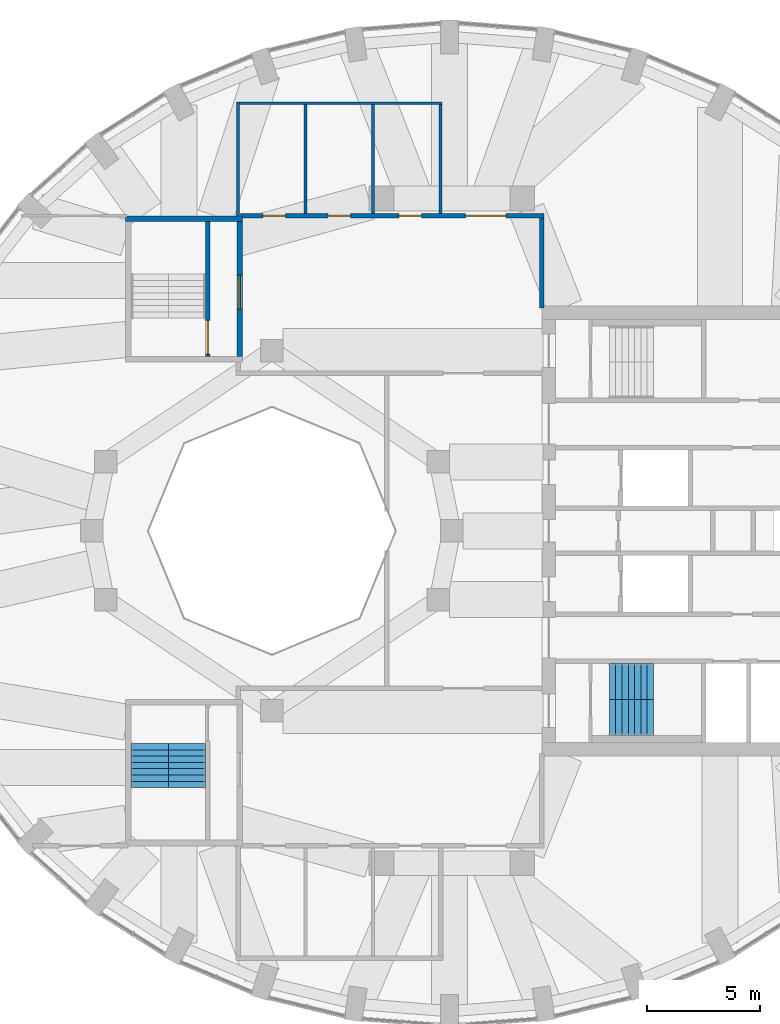
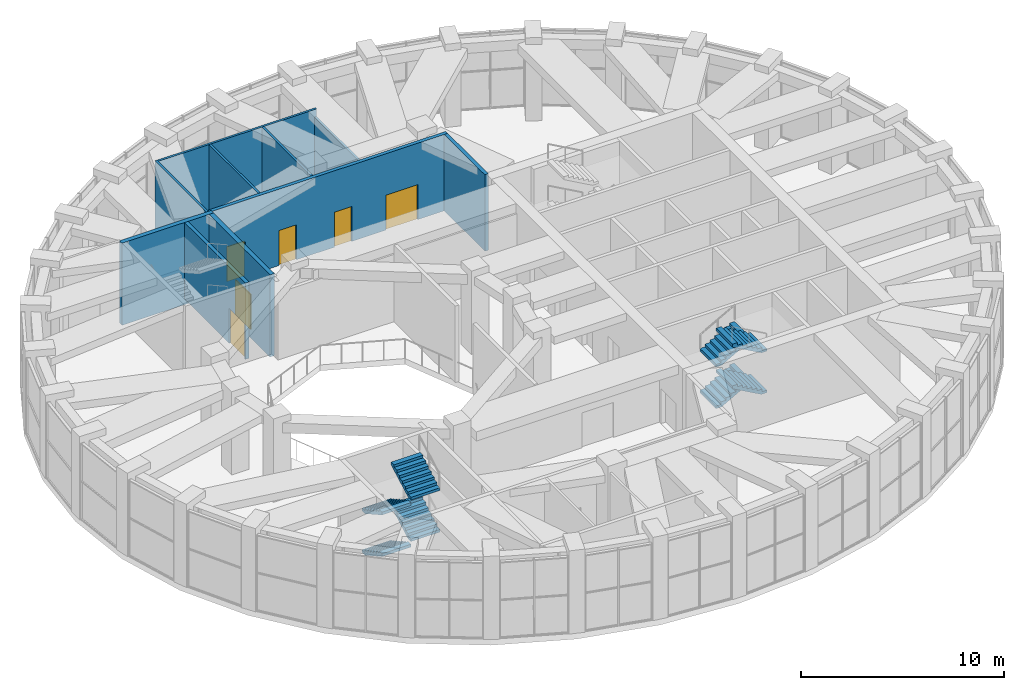
# One storey, part 14 of 16: 10 walls, 8 stair flights, 6 doors, 6 openings, 2 elements without a shape of their own.
"""IFC4 building model written with IfcOpenShell, lengths in metres."""

from ifc_helpers import new_model, si_unit, direction, frame, frame_2d, origin, place, context, subcontext, project, spatial, polyline, rectangle, outline, extrude, material, layer, layer_set, type_object, element, fill, aggregate, save


model = new_model("IFC4")

# Units and contexts
model_context = context("Model", 3, precision=1e-05, world=origin(), true_north=direction((0.0, 1.0)))
body_context = subcontext(model_context, "Body", "Model", "MODEL_VIEW")
ifc_project = project(units=[si_unit("LENGTHUNIT", "METRE"), si_unit("AREAUNIT", "SQUARE_METRE"), si_unit("VOLUMEUNIT", "CUBIC_METRE"), si_unit("PLANEANGLEUNIT", "RADIAN"), si_unit("MASSUNIT", "GRAM", prefix="KILO")], contexts=[model_context])

# Site, building, storey
site_placement = place(None, origin())
site = spatial("IfcSite", under=ifc_project, at=site_placement, CompositionType="ELEMENT")
building_placement = place(site_placement, origin())
building = spatial("IfcBuilding", under=site, at=building_placement, Name="Taillehof Tower", CompositionType="ELEMENT")
storey_placement = place(building_placement, frame((0.0, 0.0, 264.199951171875)))
storey = spatial("IfcBuildingStorey", under=building, at=storey_placement, Name="L75", CompositionType="ELEMENT", Elevation=264.199951171875)

# Wall, openings, doors
ifc_material_1 = material(Name="Calcium silicate blockwork", Category="masonry")
ifc_layer_1 = layer(ifc_material_1, 0.199951171875)
ifc_layer_set_1 = layer_set([ifc_layer_1], Name="Compartment wall EI 60 200 mm")
wall_type_1 = type_object("IfcWallType", Name="Compartment wall EI 60 200 mm", PredefinedType="PARTITIONING", material=ifc_layer_set_1)
wall_1_placement = place(storey_placement, frame((-9.39990234375, 14.0, 0.0), z_axis=(0.0, 0.0, 1.0), x_axis=(1.0, 0.0, 0.0)))
wall_1 = element("IfcWall", 1, at=wall_1_placement, inside=storey, type_object=wall_type_1, Name="Wall L75-01 / L75-07", PredefinedType="PARTITIONING", context=body_context, shape_type="SweptSolid", body=[
    extrude(rectangle(XDim=13.5, YDim=0.199951171875, at=frame_2d((6.75, 0.0))), origin(), (0.0, 0.0, 1.0), 4.590087890625),
])
opening_1_placement = place(wall_1_placement, frame((10.0, 0.0, 0.0)))
opening_1 = element("IfcOpeningElement", 2, at=opening_1_placement, cuts=wall_1, Name="Opening D7552", PredefinedType="OPENING", context=body_context, shape_type="SweptSolid", body=[
    extrude(rectangle(XDim=1.800048828125, YDim=2.10009765625, at=frame_2d((0.89990234375, 1.050048828125))), frame((0.0, 0.10986328125, 0.0), z_axis=(0.0, -1.0, 0.0), x_axis=(1.0, 0.0, 0.0)), (0.0, 0.0, 1.0), 0.219970703125),
])
opening_2_placement = place(wall_1_placement, frame((1.0, 0.0, 0.0)))
opening_2 = element("IfcOpeningElement", 3, at=opening_2_placement, cuts=wall_1, Name="Opening D7549", PredefinedType="OPENING", context=body_context, shape_type="SweptSolid", body=[
    extrude(rectangle(XDim=1.0, YDim=2.10009765625, at=frame_2d((0.5, 1.050048828125))), frame((0.0, 0.10986328125, 0.0), z_axis=(0.0, -1.0, 0.0), x_axis=(1.0, 0.0, 0.0)), (0.0, 0.0, 1.0), 0.219970703125),
])
opening_3_placement = place(wall_1_placement, frame((3.89990234375, 0.0, 0.0)))
opening_3 = element("IfcOpeningElement", 4, at=opening_3_placement, cuts=wall_1, Name="Opening D7550", PredefinedType="OPENING", context=body_context, shape_type="SweptSolid", body=[
    extrude(rectangle(XDim=1.0, YDim=2.10009765625, at=frame_2d((0.5, 1.050048828125))), frame((0.0, 0.10986328125, 0.0), z_axis=(0.0, -1.0, 0.0), x_axis=(1.0, 0.0, 0.0)), (0.0, 0.0, 1.0), 0.219970703125),
])
opening_4_placement = place(wall_1_placement, frame((7.050048828125, 0.0, 0.0)))
opening_4 = element("IfcOpeningElement", 5, at=opening_4_placement, cuts=wall_1, Name="Opening D7551", PredefinedType="OPENING", context=body_context, shape_type="SweptSolid", body=[
    extrude(rectangle(XDim=1.0, YDim=2.10009765625, at=frame_2d((0.5, 1.050048828125))), frame((0.0, 0.10986328125, 0.0), z_axis=(0.0, -1.0, 0.0), x_axis=(1.0, 0.0, 0.0)), (0.0, 0.0, 1.0), 0.219970703125),
])
ifc_material_2 = material(Name="Hollow metal door set")
door_type_1 = type_object("IfcDoorType", Name="Double door 1800 x 2100 FD60S", OperationType="DOUBLE_DOOR_SINGLE_SWING", PredefinedType="DOOR", material=ifc_material_2)
door_1_placement = place(opening_1_placement, origin())
door_1 = element("IfcDoor", 6, at=door_1_placement, inside=storey, type_object=door_type_1, Name="Door D7552", OperationType="DOUBLE_DOOR_SINGLE_SWING", OverallHeight=2.10009765625, OverallWidth=1.800048828125, PredefinedType="DOOR", context=body_context, shape_type="SweptSolid", body=[
    extrude(rectangle(XDim=1.800048828125, YDim=2.10009765625, at=frame_2d((0.89990234375, 1.050048828125))), frame((0.0, 0.02490234375, 0.0), z_axis=(0.0, -1.0, 0.0), x_axis=(1.0, 0.0, 0.0)), (0.0, 0.0, 1.0), 0.050048828125),
])
fill(opening_1, door_1)
ifc_material_3 = material(Name="Hollow metal door set")
door_type_2 = type_object("IfcDoorType", Name="Single door 1000 x 2100 FD60S", OperationType="SINGLE_SWING_LEFT", PredefinedType="DOOR", material=ifc_material_3)
door_2_placement = place(opening_2_placement, origin())
door_2 = element("IfcDoor", 7, at=door_2_placement, inside=storey, type_object=door_type_2, Name="Door D7549", OperationType="SINGLE_SWING_RIGHT", OverallHeight=2.10009765625, OverallWidth=1.0, PredefinedType="DOOR", context=body_context, shape_type="SweptSolid", body=[
    extrude(rectangle(XDim=1.0, YDim=2.10009765625, at=frame_2d((0.5, 1.050048828125))), frame((0.0, 0.02490234375, 0.0), z_axis=(0.0, -1.0, 0.0), x_axis=(1.0, 0.0, 0.0)), (0.0, 0.0, 1.0), 0.050048828125),
])
fill(opening_2, door_2)
door_3_placement = place(opening_3_placement, origin())
door_3 = element("IfcDoor", 8, at=door_3_placement, inside=storey, type_object=door_type_2, Name="Door D7550", OperationType="SINGLE_SWING_LEFT", OverallHeight=2.10009765625, OverallWidth=1.0, PredefinedType="DOOR", context=body_context, shape_type="SweptSolid", body=[
    extrude(rectangle(XDim=1.0, YDim=2.10009765625, at=frame_2d((0.5, 1.050048828125))), frame((0.0, 0.02490234375, 0.0), z_axis=(0.0, -1.0, 0.0), x_axis=(1.0, 0.0, 0.0)), (0.0, 0.0, 1.0), 0.050048828125),
])
fill(opening_3, door_3)
door_4_placement = place(opening_4_placement, origin())
door_4 = element("IfcDoor", 9, at=door_4_placement, inside=storey, type_object=door_type_2, Name="Door D7551", OperationType="SINGLE_SWING_RIGHT", OverallHeight=2.10009765625, OverallWidth=1.0, PredefinedType="DOOR", context=body_context, shape_type="SweptSolid", body=[
    extrude(rectangle(XDim=1.0, YDim=2.10009765625, at=frame_2d((0.5, 1.050048828125))), frame((0.0, 0.02490234375, 0.0), z_axis=(0.0, -1.0, 0.0), x_axis=(1.0, 0.0, 0.0)), (0.0, 0.0, 1.0), 0.050048828125),
])
fill(opening_4, door_4)

# Walls
wall_2_placement = place(storey_placement, frame((4.0, 9.89990234375, 0.0), z_axis=(0.0, 0.0, 1.0), x_axis=(0.0, 1.0, 0.0)))
element("IfcWall", 10, at=wall_2_placement, inside=storey, type_object=wall_type_1, Name="Wall L75-07 / L75-10", PredefinedType="PARTITIONING", context=body_context, shape_type="SweptSolid", body=[
    extrude(rectangle(XDim=4.0, YDim=0.199951171875, at=frame_2d((2.0, 0.0))), origin(), (0.0, 0.0, 1.0), 4.590087890625),
])
ifc_material_4 = material(Name="Gypsum board partition on steel studs", Category="steel")
ifc_layer_2 = layer(ifc_material_4, 0.125)
ifc_layer_set_2 = layer_set([ifc_layer_2], Name="Partition wall EI 30 125 mm")
wall_type_2 = type_object("IfcWallType", Name="Partition wall EI 30 125 mm", PredefinedType="PARTITIONING", material=ifc_layer_set_2)
wall_3_placement = place(storey_placement, frame((-9.4375, 19.0, 0.0), z_axis=(0.0, 0.0, 1.0), x_axis=(1.0, 0.0, 0.0)))
element("IfcWall", 11, at=wall_3_placement, inside=storey, type_object=wall_type_2, Name="Wall L75-01 / L75-10", PredefinedType="PARTITIONING", context=body_context, shape_type="SweptSolid", body=[
    extrude(rectangle(XDim=9.0, YDim=0.125, at=frame_2d((4.5, 0.0))), origin(), (0.0, 0.0, 1.0), 4.590087890625),
])
wall_4_placement = place(storey_placement, frame((-9.5, 13.998046875, 0.0), z_axis=(0.0, 0.0, 1.0), x_axis=(0.0, 1.0, 0.0)))
element("IfcWall", 12, at=wall_4_placement, inside=storey, type_object=wall_type_2, Name="Wall L75-01 / L75-10", PredefinedType="PARTITIONING", context=body_context, shape_type="SweptSolid", body=[
    extrude(rectangle(XDim=5.064453125, YDim=0.125, at=frame_2d((2.5322265625, 0.0))), origin(), (0.0, 0.0, 1.0), 4.590087890625),
])
for number, where, z_axis, x_axis, name in (
    (13, (-6.5, 14.10009765625, 0.0), (0.0, 0.0, 1.0), (0.0, 1.0, 0.0), "Wall L75-01 / L75-02"),
    (14, (-3.5, 14.10009765625, 0.0), (0.0, 0.0, 1.0), (0.0, 1.0, 0.0), "Wall L75-02 / L75-03"),
):
    element("IfcWall", number, at=place(storey_placement, frame(where, z_axis=z_axis, x_axis=x_axis)), inside=storey, type_object=wall_type_2, Name=name, PredefinedType="PARTITIONING", context=body_context, shape_type="SweptSolid", body=[
        extrude(rectangle(XDim=4.83740234375, YDim=0.125, at=frame_2d((2.418701171875, 0.0))), origin(), (0.0, 0.0, 1.0), 4.590087890625),
    ])
wall_5_placement = place(storey_placement, frame((-0.5, 14.10009765625, 0.0), z_axis=(0.0, 0.0, 1.0), x_axis=(0.0, 1.0, 0.0)))
element("IfcWall", 15, at=wall_5_placement, inside=storey, type_object=wall_type_2, Name="Wall L75-03 / L75-10", PredefinedType="PARTITIONING", context=body_context, shape_type="SweptSolid", body=[
    extrude(rectangle(XDim=4.83740234375, YDim=0.125, at=frame_2d((2.418701171875, 0.0))), origin(), (0.0, 0.0, 1.0), 4.14013671875),
])

# Wall, opening, door
ifc_material_5 = material(Name="Concrete C50/60", Category="concrete")
ifc_layer_3 = layer(ifc_material_5, 0.199951171875)
ifc_layer_set_3 = layer_set([ifc_layer_3], Name="Shaft wall C50/60 200")
wall_type_3 = type_object("IfcWallType", Name="Shaft wall C50/60 200", PredefinedType="SHEAR", material=ifc_layer_set_3)
wall_6_placement = place(storey_placement, frame((-10.85009765625, 7.75, 0.0), z_axis=(0.0, 0.0, 1.0), x_axis=(0.0, 1.0, 0.0)))
wall_6 = element("IfcWall", 16, at=wall_6_placement, inside=storey, type_object=wall_type_3, Name="Shaft wall SW", PredefinedType="SHEAR", context=body_context, shape_type="SweptSolid", body=[
    extrude(rectangle(XDim=6.0, YDim=0.199951171875, at=frame_2d((3.0, 0.0))), origin(), (0.0, 0.0, 1.0), 4.590087890625),
])
opening_5_placement = place(wall_6_placement, frame((0.10009765625, 0.0, 0.0)))
opening_5 = element("IfcOpeningElement", 17, at=opening_5_placement, cuts=wall_6, Name="Opening D7510", PredefinedType="OPENING", context=body_context, shape_type="SweptSolid", body=[
    extrude(rectangle(XDim=1.5, YDim=2.10009765625, at=frame_2d((0.75, 1.050048828125))), frame((0.0, 0.10986328125, 0.0), z_axis=(0.0, -1.0, 0.0), x_axis=(1.0, 0.0, 0.0)), (0.0, 0.0, 1.0), 0.219970703125),
])
ifc_material_6 = material(Name="Steel-faced fire door", Category="steel")
door_type_3 = type_object("IfcDoorType", Name="Stair door 1500x2100", OperationType="DOUBLE_DOOR_SINGLE_SWING", PredefinedType="DOOR", material=ifc_material_6)
door_5_placement = place(opening_5_placement, origin())
door_5 = element("IfcDoor", 18, at=door_5_placement, inside=storey, type_object=door_type_3, Name="Stair lobby door S3", OperationType="DOUBLE_DOOR_SINGLE_SWING", OverallHeight=2.10009765625, OverallWidth=1.5, PredefinedType="DOOR", context=body_context, shape_type="SweptSolid", body=[
    extrude(rectangle(XDim=1.5, YDim=2.10009765625, at=frame_2d((0.75, 1.050048828125))), frame((0.0, 0.02490234375, 0.0), z_axis=(0.0, -1.0, 0.0), x_axis=(1.0, 0.0, 0.0)), (0.0, 0.0, 1.0), 0.050048828125),
])
fill(opening_5, door_5)

ifc_material_7 = material(Name="Concrete C50/60", Category="concrete")
ifc_layer_4 = layer(ifc_material_7, 0.25)
ifc_layer_set_4 = layer_set([ifc_layer_4], Name="Stair wall C50/60 250")
wall_type_4 = type_object("IfcWallType", Name="Stair wall C50/60 250", PredefinedType="SHEAR", material=ifc_layer_set_4)
wall_7_placement = place(storey_placement, frame((-9.425048828125, 7.75, -0.349853515625), z_axis=(0.0, 0.0, 1.0), x_axis=(0.0, 1.0, 0.0)))
wall_7 = element("IfcWall", 19, at=wall_7_placement, inside=storey, type_object=wall_type_4, Name="Stair wall SC", PredefinedType="SHEAR", context=body_context, shape_type="SweptSolid", body=[
    extrude(rectangle(XDim=6.0, YDim=0.25, at=frame_2d((3.0, 0.0))), origin(), (0.0, 0.0, 1.0), 4.93994140625),
])
opening_6_placement = place(wall_7_placement, frame((2.10009765625, 0.0, 0.35009765625)))
opening_6 = element("IfcOpeningElement", 20, at=opening_6_placement, cuts=wall_7, Name="Opening D7516", PredefinedType="OPENING", context=body_context, shape_type="SweptSolid", body=[
    extrude(rectangle(XDim=1.5, YDim=2.10009765625, at=frame_2d((0.75, 1.050048828125))), frame((0.0, 0.135009765625, 0.0), z_axis=(0.0, -1.0, 0.0), x_axis=(1.0, 0.0, 0.0)), (0.0, 0.0, 1.0), 0.27001953125),
])
door_6_placement = place(opening_6_placement, origin())
door_6 = element("IfcDoor", 21, at=door_6_placement, inside=storey, type_object=door_type_3, Name="Stair door S3", OperationType="DOUBLE_DOOR_SINGLE_SWING", OverallHeight=2.10009765625, OverallWidth=1.5, PredefinedType="DOOR", context=body_context, shape_type="SweptSolid", body=[
    extrude(rectangle(XDim=1.5, YDim=2.10009765625, at=frame_2d((0.75, 1.050048828125))), frame((0.0, 0.02490234375, 0.0), z_axis=(0.0, -1.0, 0.0), x_axis=(1.0, 0.0, 0.0)), (0.0, 0.0, 1.0), 0.050048828125),
])
fill(opening_6, door_6)

# Wall
wall_8_placement = place(storey_placement, frame((-14.5, 13.875, -0.349853515625), z_axis=(0.0, 0.0, 1.0), x_axis=(1.0, 0.0, 0.0)))
element("IfcWall", 22, at=wall_8_placement, inside=storey, type_object=wall_type_4, Name="Stair wall SC", PredefinedType="SHEAR", context=body_context, shape_type="SweptSolid", body=[
    extrude(rectangle(XDim=5.199951171875, YDim=0.25, at=frame_2d((2.60009765625, 0.0))), origin(), (0.0, 0.0, 1.0), 4.93994140625),
])

# Stair, stair flights
ifc_material_8 = material(Name="Concrete C40/50", Category="concrete")
stair_type = type_object("IfcStairType", Name="Exit stair half-turn", PredefinedType="HALF_TURN_STAIR", material=ifc_material_8)
stair_1_placement = place(storey_placement, origin())
stair_1 = element("IfcStair", 23, at=stair_1_placement, inside=storey, type_object=stair_type, Name="Exit stair S2", PredefinedType="HALF_TURN_STAIR")
ifc_material_9 = material(Name="Concrete C40/50", Category="concrete")
stair_flight_type_1 = type_object("IfcStairFlightType", Name="Stair flight 1600 riser 156.2 going 280", PredefinedType="STRAIGHT", material=ifc_material_9)
stair_flight_1_placement = place(storey_placement, frame((7.0, -6.699951171875, 0.0), z_axis=(0.0, 0.0, 1.0), x_axis=(1.0, 0.0, 0.0)))
stair_flight_1 = element("IfcStairFlight", 24, at=stair_flight_1_placement, type_object=stair_flight_type_1, Name="S2 flight 1", NumberOfRisers=8, NumberOfTreads=7, PredefinedType="STRAIGHT", RiserHeight=0.15625, TreadLength=0.28, context=body_context, shape_type="SweptSolid", body=[
    extrude(outline(polyline([(0.0, 0.0), (0.0, 0.00634765625), (0.0, 0.012451171875), (0.0, 0.018798828125), (0.0, 0.02490234375), (0.0, 0.03125), (0.0, 0.03759765625), (0.0, 0.043701171875), (0.0, 0.050048828125), (0.0, 0.05615234375), (0.0, 0.0625), (0.0, 0.06884765625), (0.0, 0.074951171875), (0.0, 0.081298828125), (0.0, 0.08740234375), (0.0, 0.09375), (0.0, 0.10009765625), (0.0, 0.106201171875), (0.0, 0.112548828125), (0.0, 0.11865234375), (0.0, 0.125), (0.0, 0.13134765625), (0.0, 0.137451171875), (0.0, 0.143798828125), (0.0, 0.14990234375), (0.0, 0.15625), (0.280029296875, 0.15625), (0.280029296875, 0.3125), (0.56005859375, 0.3125), (0.56005859375, 0.46875), (0.840087890625, 0.46875), (0.840087890625, 0.625), (1.1201171875, 0.625), (1.1201171875, 0.78125), (1.39990234375, 0.78125), (1.39990234375, 0.9375), (1.679931640625, 0.9375), (1.679931640625, 1.09375), (1.9599609375, 1.09375), (1.9599609375, 1.0869140625), (1.9599609375, 1.080078125), (1.9599609375, 1.0732421875), (1.9599609375, 1.066162109375), (1.9599609375, 1.059326171875), (1.9599609375, 1.052490234375), (1.9599609375, 1.045654296875), (1.9599609375, 1.038818359375), (1.9599609375, 1.031982421875), (1.9599609375, 1.025146484375), (1.9599609375, 1.018310546875), (1.9599609375, 1.01123046875), (1.9599609375, 1.00439453125), (1.9599609375, 0.99755859375), (1.9599609375, 0.99072265625), (1.9599609375, 0.98388671875), (1.9599609375, 0.97705078125), (1.9599609375, 0.97021484375), (1.9599609375, 0.96337890625), (1.9599609375, 0.956298828125), (1.9599609375, 0.949462890625), (1.9599609375, 0.942626953125), (1.9599609375, 0.935791015625), (1.9599609375, 0.928955078125), (1.9599609375, 0.922119140625), (0.3076171875, 0.0), (0.0, 0.0)])), frame((0.0, 0.800048828125, 0.0), z_axis=(0.0, -1.0, 0.0), x_axis=(1.0, 0.0, 0.0)), (0.0, 0.0, 1.0), 1.6),
])
stair_flight_2_placement = place(storey_placement, frame((8.9599609375, -8.300048828125, 1.25), z_axis=(0.0, 0.0, 1.0), x_axis=(-1.0, 0.0, 0.0)))
stair_flight_2 = element("IfcStairFlight", 25, at=stair_flight_2_placement, type_object=stair_flight_type_1, Name="S2 flight 2", NumberOfRisers=8, NumberOfTreads=7, PredefinedType="STRAIGHT", RiserHeight=0.15625, TreadLength=0.28, context=body_context, shape_type="SweptSolid", body=[
    extrude(outline(polyline([(0.0, 0.0), (0.0, 0.00634765625), (0.0, 0.012451171875), (0.0, 0.018798828125), (0.0, 0.02490234375), (0.0, 0.03125), (0.0, 0.03759765625), (0.0, 0.043701171875), (0.0, 0.050048828125), (0.0, 0.05615234375), (0.0, 0.0625), (0.0, 0.06884765625), (0.0, 0.074951171875), (0.0, 0.081298828125), (0.0, 0.08740234375), (0.0, 0.09375), (0.0, 0.10009765625), (0.0, 0.106201171875), (0.0, 0.112548828125), (0.0, 0.11865234375), (0.0, 0.125), (0.0, 0.13134765625), (0.0, 0.137451171875), (0.0, 0.143798828125), (0.0, 0.14990234375), (0.0, 0.15625), (0.280029296875, 0.15625), (0.280029296875, 0.3125), (0.56005859375, 0.3125), (0.56005859375, 0.46875), (0.840087890625, 0.46875), (0.840087890625, 0.625), (1.1201171875, 0.625), (1.1201171875, 0.78125), (1.39990234375, 0.78125), (1.39990234375, 0.9375), (1.679931640625, 0.9375), (1.679931640625, 1.09375), (1.9599609375, 1.09375), (1.9599609375, 1.0869140625), (1.9599609375, 1.080078125), (1.9599609375, 1.0732421875), (1.9599609375, 1.066162109375), (1.9599609375, 1.059326171875), (1.9599609375, 1.052490234375), (1.9599609375, 1.045654296875), (1.9599609375, 1.038818359375), (1.9599609375, 1.031982421875), (1.9599609375, 1.025146484375), (1.9599609375, 1.018310546875), (1.9599609375, 1.01123046875), (1.9599609375, 1.00439453125), (1.9599609375, 0.99755859375), (1.9599609375, 0.99072265625), (1.9599609375, 0.98388671875), (1.9599609375, 0.97705078125), (1.9599609375, 0.97021484375), (1.9599609375, 0.96337890625), (1.9599609375, 0.956298828125), (1.9599609375, 0.949462890625), (1.9599609375, 0.942626953125), (1.9599609375, 0.935791015625), (1.9599609375, 0.928955078125), (1.9599609375, 0.922119140625), (0.3076171875, 0.0), (0.0, 0.0)])), frame((0.0, 0.800048828125, 0.0), z_axis=(0.0, -1.0, 0.0), x_axis=(1.0, 0.0, 0.0)), (0.0, 0.0, 1.0), 1.6),
])
stair_flight_3_placement = place(storey_placement, frame((7.0, -6.699951171875, 2.5), z_axis=(0.0, 0.0, 1.0), x_axis=(1.0, 0.0, 0.0)))
stair_flight_3 = element("IfcStairFlight", 26, at=stair_flight_3_placement, type_object=stair_flight_type_1, Name="S2 flight 3", NumberOfRisers=8, NumberOfTreads=7, PredefinedType="STRAIGHT", RiserHeight=0.15625, TreadLength=0.28, context=body_context, shape_type="SweptSolid", body=[
    extrude(outline(polyline([(0.0, 0.0), (0.0, 0.00634765625), (0.0, 0.012451171875), (0.0, 0.018798828125), (0.0, 0.02490234375), (0.0, 0.03125), (0.0, 0.03759765625), (0.0, 0.043701171875), (0.0, 0.050048828125), (0.0, 0.05615234375), (0.0, 0.0625), (0.0, 0.06884765625), (0.0, 0.074951171875), (0.0, 0.081298828125), (0.0, 0.08740234375), (0.0, 0.09375), (0.0, 0.10009765625), (0.0, 0.106201171875), (0.0, 0.112548828125), (0.0, 0.11865234375), (0.0, 0.125), (0.0, 0.13134765625), (0.0, 0.137451171875), (0.0, 0.143798828125), (0.0, 0.14990234375), (0.0, 0.15625), (0.280029296875, 0.15625), (0.280029296875, 0.3125), (0.56005859375, 0.3125), (0.56005859375, 0.46875), (0.840087890625, 0.46875), (0.840087890625, 0.625), (1.1201171875, 0.625), (1.1201171875, 0.78125), (1.39990234375, 0.78125), (1.39990234375, 0.9375), (1.679931640625, 0.9375), (1.679931640625, 1.09375), (1.9599609375, 1.09375), (1.9599609375, 1.0869140625), (1.9599609375, 1.080078125), (1.9599609375, 1.0732421875), (1.9599609375, 1.066162109375), (1.9599609375, 1.059326171875), (1.9599609375, 1.052490234375), (1.9599609375, 1.045654296875), (1.9599609375, 1.038818359375), (1.9599609375, 1.031982421875), (1.9599609375, 1.025146484375), (1.9599609375, 1.018310546875), (1.9599609375, 1.01123046875), (1.9599609375, 1.00439453125), (1.9599609375, 0.99755859375), (1.9599609375, 0.99072265625), (1.9599609375, 0.98388671875), (1.9599609375, 0.97705078125), (1.9599609375, 0.97021484375), (1.9599609375, 0.96337890625), (1.9599609375, 0.956298828125), (1.9599609375, 0.949462890625), (1.9599609375, 0.942626953125), (1.9599609375, 0.935791015625), (1.9599609375, 0.928955078125), (1.9599609375, 0.922119140625), (0.3076171875, 0.0), (0.0, 0.0)])), frame((0.0, 0.800048828125, 0.0), z_axis=(0.0, -1.0, 0.0), x_axis=(1.0, 0.0, 0.0)), (0.0, 0.0, 1.0), 1.6),
])
stair_flight_4_placement = place(storey_placement, frame((8.9599609375, -8.300048828125, 3.75), z_axis=(0.0, 0.0, 1.0), x_axis=(-1.0, 0.0, 0.0)))
stair_flight_4 = element("IfcStairFlight", 27, at=stair_flight_4_placement, type_object=stair_flight_type_1, Name="S2 flight 4", NumberOfRisers=8, NumberOfTreads=7, PredefinedType="STRAIGHT", RiserHeight=0.15625, TreadLength=0.28, context=body_context, shape_type="SweptSolid", body=[
    extrude(outline(polyline([(0.0, 0.0), (0.0, 0.00634765625), (0.0, 0.012451171875), (0.0, 0.018798828125), (0.0, 0.02490234375), (0.0, 0.03125), (0.0, 0.03759765625), (0.0, 0.043701171875), (0.0, 0.050048828125), (0.0, 0.05615234375), (0.0, 0.0625), (0.0, 0.06884765625), (0.0, 0.074951171875), (0.0, 0.081298828125), (0.0, 0.08740234375), (0.0, 0.09375), (0.0, 0.10009765625), (0.0, 0.106201171875), (0.0, 0.112548828125), (0.0, 0.11865234375), (0.0, 0.125), (0.0, 0.13134765625), (0.0, 0.137451171875), (0.0, 0.143798828125), (0.0, 0.14990234375), (0.0, 0.15625), (0.280029296875, 0.15625), (0.280029296875, 0.3125), (0.56005859375, 0.3125), (0.56005859375, 0.46875), (0.840087890625, 0.46875), (0.840087890625, 0.625), (1.1201171875, 0.625), (1.1201171875, 0.78125), (1.39990234375, 0.78125), (1.39990234375, 0.9375), (1.679931640625, 0.9375), (1.679931640625, 1.09375), (1.9599609375, 1.09375), (1.9599609375, 1.0869140625), (1.9599609375, 1.080078125), (1.9599609375, 1.0732421875), (1.9599609375, 1.066162109375), (1.9599609375, 1.059326171875), (1.9599609375, 1.052490234375), (1.9599609375, 1.045654296875), (1.9599609375, 1.038818359375), (1.9599609375, 1.031982421875), (1.9599609375, 1.025146484375), (1.9599609375, 1.018310546875), (1.9599609375, 1.01123046875), (1.9599609375, 1.00439453125), (1.9599609375, 0.99755859375), (1.9599609375, 0.99072265625), (1.9599609375, 0.98388671875), (1.9599609375, 0.97705078125), (1.9599609375, 0.97021484375), (1.9599609375, 0.96337890625), (1.9599609375, 0.956298828125), (1.9599609375, 0.949462890625), (1.9599609375, 0.942626953125), (1.9599609375, 0.935791015625), (1.9599609375, 0.928955078125), (1.9599609375, 0.922119140625), (0.3076171875, 0.0), (0.0, 0.0)])), frame((0.0, 0.800048828125, 0.0), z_axis=(0.0, -1.0, 0.0), x_axis=(1.0, 0.0, 0.0)), (0.0, 0.0, 1.0), 1.6),
])
aggregate(stair_1, [stair_flight_1, stair_flight_2, stair_flight_3, stair_flight_4])

stair_2_placement = place(storey_placement, origin())
stair_2 = element("IfcStair", 28, at=stair_2_placement, inside=storey, type_object=stair_type, Name="Exit stair S4", PredefinedType="HALF_TURN_STAIR")
ifc_material_10 = material(Name="Concrete C40/50", Category="concrete")
stair_flight_type_2 = type_object("IfcStairFlightType", Name="Stair flight 1650 riser 156.2 going 280", PredefinedType="STRAIGHT", material=ifc_material_10)
stair_flight_5_placement = place(storey_placement, frame((-13.425048828125, -9.449951171875, 0.0), z_axis=(0.0, 0.0, 1.0), x_axis=(0.0, -1.0, 0.0)))
stair_flight_5 = element("IfcStairFlight", 29, at=stair_flight_5_placement, type_object=stair_flight_type_2, Name="S4 flight 1", NumberOfRisers=8, NumberOfTreads=7, PredefinedType="STRAIGHT", RiserHeight=0.15625, TreadLength=0.28, context=body_context, shape_type="SweptSolid", body=[
    extrude(outline(polyline([(0.0, 0.0), (0.0, 0.00634765625), (0.0, 0.012451171875), (0.0, 0.018798828125), (0.0, 0.02490234375), (0.0, 0.03125), (0.0, 0.03759765625), (0.0, 0.043701171875), (0.0, 0.050048828125), (0.0, 0.05615234375), (0.0, 0.0625), (0.0, 0.06884765625), (0.0, 0.074951171875), (0.0, 0.081298828125), (0.0, 0.08740234375), (0.0, 0.09375), (0.0, 0.10009765625), (0.0, 0.106201171875), (0.0, 0.112548828125), (0.0, 0.11865234375), (0.0, 0.125), (0.0, 0.13134765625), (0.0, 0.137451171875), (0.0, 0.143798828125), (0.0, 0.14990234375), (0.0, 0.15625), (0.280029296875, 0.15625), (0.280029296875, 0.3125), (0.56005859375, 0.3125), (0.56005859375, 0.46875), (0.840087890625, 0.46875), (0.840087890625, 0.625), (1.1201171875, 0.625), (1.1201171875, 0.78125), (1.39990234375, 0.78125), (1.39990234375, 0.9375), (1.679931640625, 0.9375), (1.679931640625, 1.09375), (1.9599609375, 1.09375), (1.9599609375, 1.0869140625), (1.9599609375, 1.080078125), (1.9599609375, 1.0732421875), (1.9599609375, 1.066162109375), (1.9599609375, 1.059326171875), (1.9599609375, 1.052490234375), (1.9599609375, 1.045654296875), (1.9599609375, 1.038818359375), (1.9599609375, 1.031982421875), (1.9599609375, 1.025146484375), (1.9599609375, 1.018310546875), (1.9599609375, 1.01123046875), (1.9599609375, 1.00439453125), (1.9599609375, 0.99755859375), (1.9599609375, 0.99072265625), (1.9599609375, 0.98388671875), (1.9599609375, 0.97705078125), (1.9599609375, 0.97021484375), (1.9599609375, 0.96337890625), (1.9599609375, 0.956298828125), (1.9599609375, 0.949462890625), (1.9599609375, 0.942626953125), (1.9599609375, 0.935791015625), (1.9599609375, 0.928955078125), (1.9599609375, 0.922119140625), (0.3076171875, 0.0), (0.0, 0.0)])), frame((0.0, 0.824951171875, 0.0), z_axis=(0.0, -1.0, 0.0), x_axis=(1.0, 0.0, 0.0)), (0.0, 0.0, 1.0), 1.65),
])
stair_flight_6_placement = place(storey_placement, frame((-11.77490234375, -11.409912109375, 1.25), z_axis=(0.0, 0.0, 1.0), x_axis=(0.0, 1.0, 0.0)))
stair_flight_6 = element("IfcStairFlight", 30, at=stair_flight_6_placement, type_object=stair_flight_type_2, Name="S4 flight 2", NumberOfRisers=8, NumberOfTreads=7, PredefinedType="STRAIGHT", RiserHeight=0.15625, TreadLength=0.28, context=body_context, shape_type="SweptSolid", body=[
    extrude(outline(polyline([(0.0, 0.0), (0.0, 0.00634765625), (0.0, 0.012451171875), (0.0, 0.018798828125), (0.0, 0.02490234375), (0.0, 0.03125), (0.0, 0.03759765625), (0.0, 0.043701171875), (0.0, 0.050048828125), (0.0, 0.05615234375), (0.0, 0.0625), (0.0, 0.06884765625), (0.0, 0.074951171875), (0.0, 0.081298828125), (0.0, 0.08740234375), (0.0, 0.09375), (0.0, 0.10009765625), (0.0, 0.106201171875), (0.0, 0.112548828125), (0.0, 0.11865234375), (0.0, 0.125), (0.0, 0.13134765625), (0.0, 0.137451171875), (0.0, 0.143798828125), (0.0, 0.14990234375), (0.0, 0.15625), (0.280029296875, 0.15625), (0.280029296875, 0.3125), (0.56005859375, 0.3125), (0.56005859375, 0.46875), (0.840087890625, 0.46875), (0.840087890625, 0.625), (1.1201171875, 0.625), (1.1201171875, 0.78125), (1.39990234375, 0.78125), (1.39990234375, 0.9375), (1.679931640625, 0.9375), (1.679931640625, 1.09375), (1.9599609375, 1.09375), (1.9599609375, 1.0869140625), (1.9599609375, 1.080078125), (1.9599609375, 1.0732421875), (1.9599609375, 1.066162109375), (1.9599609375, 1.059326171875), (1.9599609375, 1.052490234375), (1.9599609375, 1.045654296875), (1.9599609375, 1.038818359375), (1.9599609375, 1.031982421875), (1.9599609375, 1.025146484375), (1.9599609375, 1.018310546875), (1.9599609375, 1.01123046875), (1.9599609375, 1.00439453125), (1.9599609375, 0.99755859375), (1.9599609375, 0.99072265625), (1.9599609375, 0.98388671875), (1.9599609375, 0.97705078125), (1.9599609375, 0.97021484375), (1.9599609375, 0.96337890625), (1.9599609375, 0.956298828125), (1.9599609375, 0.949462890625), (1.9599609375, 0.942626953125), (1.9599609375, 0.935791015625), (1.9599609375, 0.928955078125), (1.9599609375, 0.922119140625), (0.3076171875, 0.0), (0.0, 0.0)])), frame((0.0, 0.824951171875, 0.0), z_axis=(0.0, -1.0, 0.0), x_axis=(1.0, 0.0, 0.0)), (0.0, 0.0, 1.0), 1.65),
])
stair_flight_7_placement = place(storey_placement, frame((-13.425048828125, -9.449951171875, 2.5), z_axis=(0.0, 0.0, 1.0), x_axis=(0.0, -1.0, 0.0)))
stair_flight_7 = element("IfcStairFlight", 31, at=stair_flight_7_placement, type_object=stair_flight_type_2, Name="S4 flight 3", NumberOfRisers=8, NumberOfTreads=7, PredefinedType="STRAIGHT", RiserHeight=0.15625, TreadLength=0.28, context=body_context, shape_type="SweptSolid", body=[
    extrude(outline(polyline([(0.0, 0.0), (0.0, 0.00634765625), (0.0, 0.012451171875), (0.0, 0.018798828125), (0.0, 0.02490234375), (0.0, 0.03125), (0.0, 0.03759765625), (0.0, 0.043701171875), (0.0, 0.050048828125), (0.0, 0.05615234375), (0.0, 0.0625), (0.0, 0.06884765625), (0.0, 0.074951171875), (0.0, 0.081298828125), (0.0, 0.08740234375), (0.0, 0.09375), (0.0, 0.10009765625), (0.0, 0.106201171875), (0.0, 0.112548828125), (0.0, 0.11865234375), (0.0, 0.125), (0.0, 0.13134765625), (0.0, 0.137451171875), (0.0, 0.143798828125), (0.0, 0.14990234375), (0.0, 0.15625), (0.280029296875, 0.15625), (0.280029296875, 0.3125), (0.56005859375, 0.3125), (0.56005859375, 0.46875), (0.840087890625, 0.46875), (0.840087890625, 0.625), (1.1201171875, 0.625), (1.1201171875, 0.78125), (1.39990234375, 0.78125), (1.39990234375, 0.9375), (1.679931640625, 0.9375), (1.679931640625, 1.09375), (1.9599609375, 1.09375), (1.9599609375, 1.0869140625), (1.9599609375, 1.080078125), (1.9599609375, 1.0732421875), (1.9599609375, 1.066162109375), (1.9599609375, 1.059326171875), (1.9599609375, 1.052490234375), (1.9599609375, 1.045654296875), (1.9599609375, 1.038818359375), (1.9599609375, 1.031982421875), (1.9599609375, 1.025146484375), (1.9599609375, 1.018310546875), (1.9599609375, 1.01123046875), (1.9599609375, 1.00439453125), (1.9599609375, 0.99755859375), (1.9599609375, 0.99072265625), (1.9599609375, 0.98388671875), (1.9599609375, 0.97705078125), (1.9599609375, 0.97021484375), (1.9599609375, 0.96337890625), (1.9599609375, 0.956298828125), (1.9599609375, 0.949462890625), (1.9599609375, 0.942626953125), (1.9599609375, 0.935791015625), (1.9599609375, 0.928955078125), (1.9599609375, 0.922119140625), (0.3076171875, 0.0), (0.0, 0.0)])), frame((0.0, 0.824951171875, 0.0), z_axis=(0.0, -1.0, 0.0), x_axis=(1.0, 0.0, 0.0)), (0.0, 0.0, 1.0), 1.65),
])
stair_flight_8_placement = place(storey_placement, frame((-11.77490234375, -11.409912109375, 3.75), z_axis=(0.0, 0.0, 1.0), x_axis=(0.0, 1.0, 0.0)))
stair_flight_8 = element("IfcStairFlight", 32, at=stair_flight_8_placement, type_object=stair_flight_type_2, Name="S4 flight 4", NumberOfRisers=8, NumberOfTreads=7, PredefinedType="STRAIGHT", RiserHeight=0.15625, TreadLength=0.28, context=body_context, shape_type="SweptSolid", body=[
    extrude(outline(polyline([(0.0, 0.0), (0.0, 0.00634765625), (0.0, 0.012451171875), (0.0, 0.018798828125), (0.0, 0.02490234375), (0.0, 0.03125), (0.0, 0.03759765625), (0.0, 0.043701171875), (0.0, 0.050048828125), (0.0, 0.05615234375), (0.0, 0.0625), (0.0, 0.06884765625), (0.0, 0.074951171875), (0.0, 0.081298828125), (0.0, 0.08740234375), (0.0, 0.09375), (0.0, 0.10009765625), (0.0, 0.106201171875), (0.0, 0.112548828125), (0.0, 0.11865234375), (0.0, 0.125), (0.0, 0.13134765625), (0.0, 0.137451171875), (0.0, 0.143798828125), (0.0, 0.14990234375), (0.0, 0.15625), (0.280029296875, 0.15625), (0.280029296875, 0.3125), (0.56005859375, 0.3125), (0.56005859375, 0.46875), (0.840087890625, 0.46875), (0.840087890625, 0.625), (1.1201171875, 0.625), (1.1201171875, 0.78125), (1.39990234375, 0.78125), (1.39990234375, 0.9375), (1.679931640625, 0.9375), (1.679931640625, 1.09375), (1.9599609375, 1.09375), (1.9599609375, 1.0869140625), (1.9599609375, 1.080078125), (1.9599609375, 1.0732421875), (1.9599609375, 1.066162109375), (1.9599609375, 1.059326171875), (1.9599609375, 1.052490234375), (1.9599609375, 1.045654296875), (1.9599609375, 1.038818359375), (1.9599609375, 1.031982421875), (1.9599609375, 1.025146484375), (1.9599609375, 1.018310546875), (1.9599609375, 1.01123046875), (1.9599609375, 1.00439453125), (1.9599609375, 0.99755859375), (1.9599609375, 0.99072265625), (1.9599609375, 0.98388671875), (1.9599609375, 0.97705078125), (1.9599609375, 0.97021484375), (1.9599609375, 0.96337890625), (1.9599609375, 0.956298828125), (1.9599609375, 0.949462890625), (1.9599609375, 0.942626953125), (1.9599609375, 0.935791015625), (1.9599609375, 0.928955078125), (1.9599609375, 0.922119140625), (0.3076171875, 0.0), (0.0, 0.0)])), frame((0.0, 0.824951171875, 0.0), z_axis=(0.0, -1.0, 0.0), x_axis=(1.0, 0.0, 0.0)), (0.0, 0.0, 1.0), 1.65),
])
aggregate(stair_2, [stair_flight_5, stair_flight_6, stair_flight_7, stair_flight_8])

save(model, "model.ifc")
